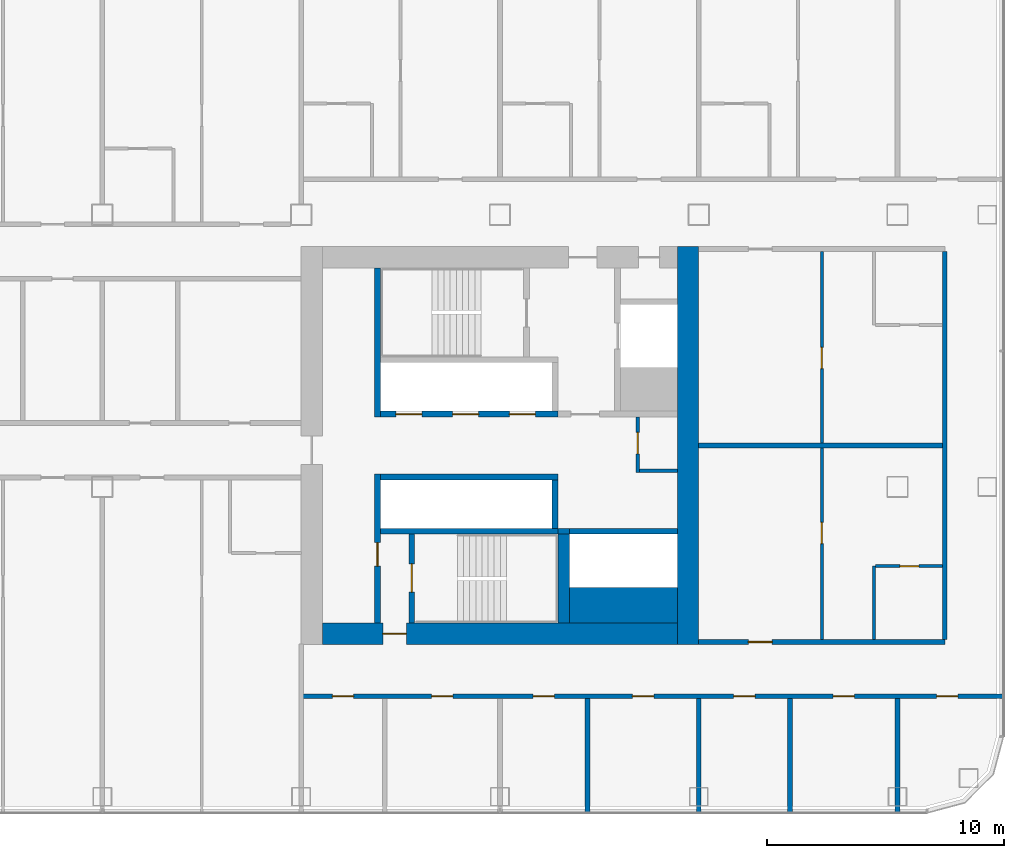
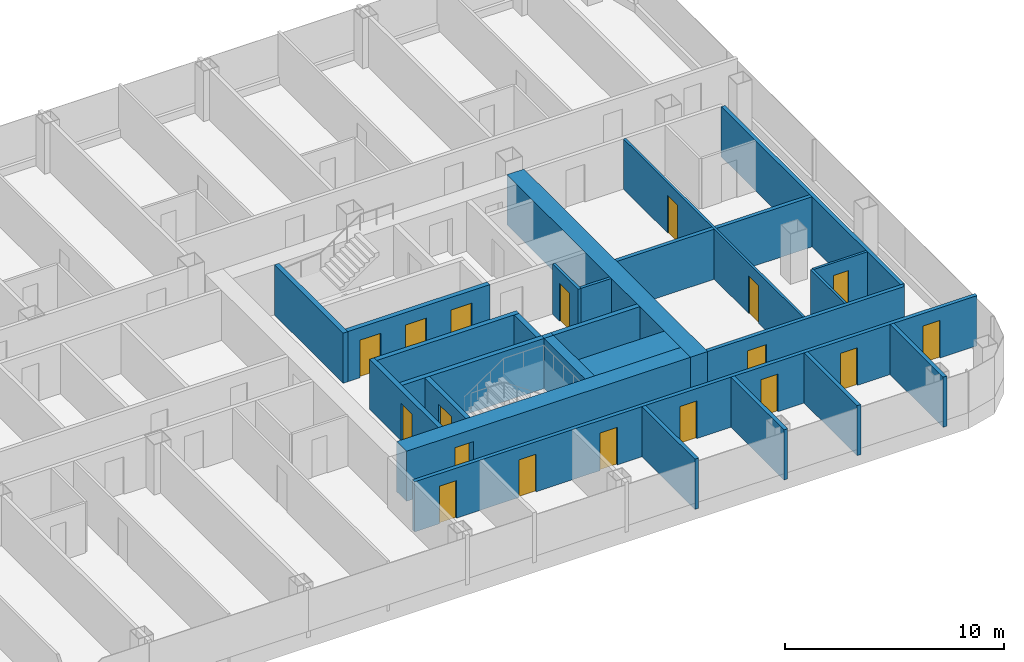
# One storey, part 19 of 29: 26 walls, 18 doors, 18 openings.
"""IFC4 building model written with IfcOpenShell, lengths in metres."""

from ifc_helpers import new_model, si_unit, direction, frame, frame_2d, origin, place, context, subcontext, project, spatial, rectangle, extrude, material, layer, layer_set, type_object, element, fill, save


model = new_model("IFC4")

# Units and contexts
model_context = context("Model", 3, precision=1e-05, world=origin(), true_north=direction((0.0, 1.0)))
body_context = subcontext(model_context, "Body", "Model", "MODEL_VIEW")
ifc_project = project(units=[si_unit("LENGTHUNIT", "METRE"), si_unit("AREAUNIT", "SQUARE_METRE"), si_unit("VOLUMEUNIT", "CUBIC_METRE"), si_unit("PLANEANGLEUNIT", "RADIAN"), si_unit("MASSUNIT", "GRAM", prefix="KILO")], contexts=[model_context])

# Site, building, storey
site_placement = place(None, origin())
site = spatial("IfcSite", under=ifc_project, at=site_placement, CompositionType="ELEMENT")
building_placement = place(site_placement, origin())
building = spatial("IfcBuilding", under=site, at=building_placement, Name="Hakoniwa Tower and Hamabe Station Hall", CompositionType="ELEMENT")
storey_placement = place(building_placement, frame((0.0, 0.0, 88.199951171875)))
storey = spatial("IfcBuildingStorey", under=building, at=storey_placement, Name="L24", CompositionType="ELEMENT", Elevation=88.199951171875)

# Wall, opening, door
ifc_material_1 = material(Name="Gypsum board partition", Category="gypsum")
ifc_layer_1 = layer(ifc_material_1, 0.125)
ifc_layer_set_1 = layer_set([ifc_layer_1], Name="Bathroom Partition 125")
wall_type_1 = type_object("IfcWallType", Name="Bathroom Partition 125", PredefinedType="PARTITIONING", material=ifc_layer_set_1)
wall_1_placement = place(storey_placement, frame((41.0625, -5.10009765625, 0.0), z_axis=(0.0, 0.0, 1.0), x_axis=(1.0, 0.0, 0.0)))
wall_1 = element("IfcWall", 1, at=wall_1_placement, inside=storey, type_object=wall_type_1, Name="GW-L24-005", PredefinedType="PARTITIONING", context=body_context, shape_type="SweptSolid", body=[
    extrude(rectangle(XDim=2.83740234375, YDim=0.125, at=frame_2d((1.418701171875, 0.0))), origin(), (0.0, 0.0, 1.0), 2.800048828125),
])
opening_1_placement = place(wall_1_placement, frame((1.03759765625, 0.0, 0.0)))
opening_1 = element("IfcOpeningElement", 2, at=opening_1_placement, cuts=wall_1, Name="Opening GD-G2E0-17", PredefinedType="OPENING", context=body_context, shape_type="SweptSolid", body=[
    extrude(rectangle(XDim=0.800048828125, YDim=2.10009765625, at=frame_2d((0.39990234375, 1.050048828125))), frame((0.0, 0.072509765625, 0.0), z_axis=(0.0, -1.0, 0.0), x_axis=(1.0, 0.0, 0.0)), (0.0, 0.0, 1.0), 0.14501953125),
])
ifc_material_2 = material(Name="Timber door leaf", Category="wood")
door_type_1 = type_object("IfcDoorType", Name="Bathroom Door 800", OperationType="SINGLE_SWING_LEFT", PredefinedType="DOOR", material=ifc_material_2)
door_1_placement = place(opening_1_placement, origin())
door_1 = element("IfcDoor", 3, at=door_1_placement, inside=storey, type_object=door_type_1, Name="Door GD-G2E0-17", OperationType="SINGLE_SWING_RIGHT", OverallHeight=2.10009765625, OverallWidth=0.800048828125, PredefinedType="DOOR", context=body_context, shape_type="SweptSolid", body=[
    extrude(rectangle(XDim=0.800048828125, YDim=2.10009765625, at=frame_2d((0.39990234375, 1.050048828125))), frame((0.0, 0.02490234375, 0.0), z_axis=(0.0, -1.0, 0.0), x_axis=(1.0, 0.0, 0.0)), (0.0, 0.0, 1.0), 0.050048828125),
])
fill(opening_1, door_1)

# Wall
wall_2_placement = place(storey_placement, frame((41.0, -8.199951171875, 0.0), z_axis=(0.0, 0.0, 1.0), x_axis=(0.0, 1.0, 0.0)))
element("IfcWall", 4, at=wall_2_placement, inside=storey, type_object=wall_type_1, Name="GW-L24-088", PredefinedType="PARTITIONING", context=body_context, shape_type="SweptSolid", body=[
    extrude(rectangle(XDim=3.099853515625, YDim=0.125, at=frame_2d((1.5498046875, 0.0))), origin(), (0.0, 0.0, 1.0), 2.800048828125),
])

# Wall, opening, door
ifc_material_3 = material(Name="Gypsum board partition")
ifc_layer_2 = layer(ifc_material_3, 0.14990234375)
ifc_layer_set_2 = layer_set([ifc_layer_2], Name="CORE PARTITION 150 EI 60")
wall_type_2 = type_object("IfcWallType", Name="CORE PARTITION 150 EI 60", PredefinedType="PARTITIONING", material=ifc_layer_set_2)
wall_3_placement = place(storey_placement, frame((31.02490234375, -1.14990234375, 0.0), z_axis=(0.0, 0.0, 1.0), x_axis=(0.0, 1.0, 0.0)))
wall_3 = element("IfcWall", 5, at=wall_3_placement, inside=storey, type_object=wall_type_2, Name="Core partition PW0 east", PredefinedType="PARTITIONING", context=body_context, shape_type="SweptSolid", body=[
    extrude(rectangle(XDim=2.349853515625, YDim=0.14990234375, at=frame_2d((1.1748046875, 0.0))), origin(), (0.0, 0.0, 1.0), 2.800048828125),
])
opening_2_placement = place(wall_3_placement, frame((0.800048828125, 0.0, 0.0)))
opening_2 = element("IfcOpeningElement", 6, at=opening_2_placement, cuts=wall_3, Name="Opening CD-E-RM1-9", PredefinedType="OPENING", context=body_context, shape_type="SweptSolid", body=[
    extrude(rectangle(XDim=0.89990234375, YDim=2.10009765625, at=frame_2d((0.449951171875, 1.050048828125))), frame((0.0, 0.0849609375, 0.0), z_axis=(0.0, -1.0, 0.0), x_axis=(1.0, 0.0, 0.0)), (0.0, 0.0, 1.0), 0.169921875),
])
ifc_material_4 = material(Name="Steel fire door", Category="steel")
door_type_2 = type_object("IfcDoorType", Name="CORE DOOR 900 FD30", OperationType="NOTDEFINED", PredefinedType="DOOR", material=ifc_material_4)
door_2_placement = place(opening_2_placement, origin())
door_2 = element("IfcDoor", 7, at=door_2_placement, inside=storey, type_object=door_type_2, Name="Store room door", OperationType="SINGLE_SWING_RIGHT", OverallHeight=2.10009765625, OverallWidth=0.89990234375, PredefinedType="DOOR", context=body_context, shape_type="SweptSolid", body=[
    extrude(rectangle(XDim=0.89990234375, YDim=2.10009765625, at=frame_2d((0.449951171875, 1.050048828125))), frame((0.0, 0.02490234375, 0.0), z_axis=(0.0, -1.0, 0.0), x_axis=(1.0, 0.0, 0.0)), (0.0, 0.0, 1.0), 0.050048828125),
])
fill(opening_2, door_2)

# Walls
wall_4_placement = place(storey_placement, frame((31.10009765625, -1.074951171875, 0.0), z_axis=(0.0, 0.0, 1.0), x_axis=(1.0, 0.0, 0.0)))
element("IfcWall", 8, at=wall_4_placement, inside=storey, type_object=wall_type_2, Name="Core partition PS east", PredefinedType="PARTITIONING", context=body_context, shape_type="SweptSolid", body=[
    extrude(rectangle(XDim=1.599853515625, YDim=0.14990234375, at=frame_2d((0.7998046875, 0.0))), origin(), (0.0, 0.0, 1.0), 2.800048828125),
])
ifc_material_5 = material(Name="Concrete C72", Category="concrete")
ifc_layer_3 = layer(ifc_material_5, 0.89990234375)
ifc_layer_set_3 = layer_set([ifc_layer_3], Name="CORE WALL 900 C72")
wall_type_3 = type_object("IfcWallType", Name="CORE WALL 900 C72", PredefinedType="SHEAR", material=ifc_layer_set_3)
wall_5_placement = place(storey_placement, frame((33.14990234375, -8.39990234375, 0.0), z_axis=(0.0, 0.0, 1.0), x_axis=(0.0, 1.0, 0.0)))
element("IfcWall", 9, at=wall_5_placement, inside=storey, type_object=wall_type_3, Name="Core wall OUTER east", PredefinedType="SHEAR", context=body_context, shape_type="SweptSolid", body=[
    extrude(rectangle(XDim=16.7998046875, YDim=0.89990234375, at=frame_2d((8.39990234375, 0.0))), origin(), (0.0, 0.0, 1.0), 2.800048828125),
])

# Wall, opening, door
wall_6_placement = place(storey_placement, frame((17.699951171875, -7.949951171875, 0.0), z_axis=(0.0, 0.0, 1.0), x_axis=(1.0, 0.0, 0.0)))
wall_6 = element("IfcWall", 10, at=wall_6_placement, inside=storey, type_object=wall_type_3, Name="Core wall SOUTH east", PredefinedType="SHEAR", context=body_context, shape_type="SweptSolid", body=[
    extrude(rectangle(XDim=15.0, YDim=0.89990234375, at=frame_2d((7.5, 0.0))), origin(), (0.0, 0.0, 1.0), 2.800048828125),
])
opening_3_placement = place(wall_6_placement, frame((2.550048828125, 0.0, 0.0)))
opening_3 = element("IfcOpeningElement", 11, at=opening_3_placement, cuts=wall_6, Name="Opening CD-E-FS3-10", PredefinedType="OPENING", context=body_context, shape_type="SweptSolid", body=[
    extrude(rectangle(XDim=1.0, YDim=2.10009765625, at=frame_2d((0.5, 1.050048828125))), frame((0.0, 0.4599609375, 0.0), z_axis=(0.0, -1.0, 0.0), x_axis=(1.0, 0.0, 0.0)), (0.0, 0.0, 1.0), 0.919921875),
])
ifc_material_6 = material(Name="Steel fire door", Category="steel")
door_type_3 = type_object("IfcDoorType", Name="CORE DOOR 1000 FD60", OperationType="NOTDEFINED", PredefinedType="DOOR", material=ifc_material_6)
door_3_placement = place(opening_3_placement, origin())
door_3 = element("IfcDoor", 12, at=door_3_placement, inside=storey, type_object=door_type_3, Name="Stair vestibule door", OperationType="SINGLE_SWING_RIGHT", OverallHeight=2.10009765625, OverallWidth=1.0, PredefinedType="DOOR", context=body_context, shape_type="SweptSolid", body=[
    extrude(rectangle(XDim=1.0, YDim=2.10009765625, at=frame_2d((0.5, 1.050048828125))), frame((0.0, 0.02490234375, 0.0), z_axis=(0.0, -1.0, 0.0), x_axis=(1.0, 0.0, 0.0)), (0.0, 0.0, 1.0), 0.050048828125),
])
fill(opening_3, door_3)

# Walls
ifc_material_7 = material(Name="Concrete C72", Category="concrete")
ifc_layer_4 = layer(ifc_material_7, 1.5)
ifc_layer_set_4 = layer_set([ifc_layer_4], Name="CORE WEB WALL 1500 C72")
wall_type_4 = type_object("IfcWallType", Name="CORE WEB WALL 1500 C72", PredefinedType="SHEAR", material=ifc_layer_set_4)
wall_7_placement = place(storey_placement, frame((28.14990234375, -6.75, 0.0), z_axis=(0.0, 0.0, 1.0), x_axis=(1.0, 0.0, 0.0)))
element("IfcWall", 13, at=wall_7_placement, inside=storey, type_object=wall_type_4, Name="Core wall SER east", PredefinedType="SHEAR", context=body_context, shape_type="SweptSolid", body=[
    extrude(rectangle(XDim=4.550048828125, YDim=1.5, at=frame_2d((2.27490234375, 0.0))), origin(), (0.0, 0.0, 1.0), 2.800048828125),
])
ifc_material_8 = material(Name="Concrete C72", Category="concrete")
ifc_layer_5 = layer(ifc_material_8, 0.25)
ifc_layer_set_5 = layer_set([ifc_layer_5], Name="CORE WEB WALL 250 C72")
wall_type_5 = type_object("IfcWallType", Name="CORE WEB WALL 250 C72", PredefinedType="SHEAR", material=ifc_layer_set_5)
wall_8_placement = place(storey_placement, frame((20.02490234375, 1.199951171875, 0.0), z_axis=(0.0, 0.0, 1.0), x_axis=(0.0, 1.0, 0.0)))
element("IfcWall", 14, at=wall_8_placement, inside=storey, type_object=wall_type_5, Name="Core wall W1N east", PredefinedType="SHEAR", context=body_context, shape_type="SweptSolid", body=[
    extrude(rectangle(XDim=6.300048828125, YDim=0.25, at=frame_2d((3.14990234375, 0.0))), origin(), (0.0, 0.0, 1.0), 2.800048828125),
])

# Wall, opening, door
wall_9_placement = place(storey_placement, frame((20.02490234375, -7.5, 0.0), z_axis=(0.0, 0.0, 1.0), x_axis=(0.0, 1.0, 0.0)))
wall_9 = element("IfcWall", 15, at=wall_9_placement, inside=storey, type_object=wall_type_5, Name="Core wall W1S east", PredefinedType="SHEAR", context=body_context, shape_type="SweptSolid", body=[
    extrude(rectangle(XDim=6.300048828125, YDim=0.25, at=frame_2d((3.14990234375, 0.0))), origin(), (0.0, 0.0, 1.0), 2.800048828125),
])
opening_4_placement = place(wall_9_placement, frame((2.39990234375, 0.0, 0.0)))
opening_4 = element("IfcOpeningElement", 16, at=opening_4_placement, cuts=wall_9, Name="Opening CD-E-VS-10", PredefinedType="OPENING", context=body_context, shape_type="SweptSolid", body=[
    extrude(rectangle(XDim=1.0, YDim=2.10009765625, at=frame_2d((0.5, 1.050048828125))), frame((0.0, 0.135009765625, 0.0), z_axis=(0.0, -1.0, 0.0), x_axis=(1.0, 0.0, 0.0)), (0.0, 0.0, 1.0), 0.27001953125),
])
door_4_placement = place(opening_4_placement, origin())
door_4 = element("IfcDoor", 17, at=door_4_placement, inside=storey, type_object=door_type_3, Name="Stair vestibule door", OperationType="SINGLE_SWING_RIGHT", OverallHeight=2.10009765625, OverallWidth=1.0, PredefinedType="DOOR", context=body_context, shape_type="SweptSolid", body=[
    extrude(rectangle(XDim=1.0, YDim=2.10009765625, at=frame_2d((0.5, 1.050048828125))), frame((0.0, 0.02490234375, 0.0), z_axis=(0.0, -1.0, 0.0), x_axis=(1.0, 0.0, 0.0)), (0.0, 0.0, 1.0), 0.050048828125),
])
fill(opening_4, door_4)

# Wall, openings, doors
wall_10_placement = place(storey_placement, frame((20.14990234375, 1.324951171875, 0.0), z_axis=(0.0, 0.0, 1.0), x_axis=(1.0, 0.0, 0.0)))
wall_10 = element("IfcWall", 18, at=wall_10_placement, inside=storey, type_object=wall_type_5, Name="Core wall NF east", PredefinedType="SHEAR", context=body_context, shape_type="SweptSolid", body=[
    extrude(rectangle(XDim=7.5, YDim=0.25, at=frame_2d((3.75, 0.0))), origin(), (0.0, 0.0, 1.0), 2.800048828125),
])
opening_5_placement = place(wall_10_placement, frame((0.64990234375, 0.0, 0.0)))
opening_5 = element("IfcOpeningElement", 19, at=opening_5_placement, cuts=wall_10, Name="Opening LD-LR4", PredefinedType="OPENING", context=body_context, shape_type="SweptSolid", body=[
    extrude(rectangle(XDim=1.10009765625, YDim=2.10009765625, at=frame_2d((0.550048828125, 1.050048828125))), frame((0.0, 0.135009765625, 0.0), z_axis=(0.0, -1.0, 0.0), x_axis=(1.0, 0.0, 0.0)), (0.0, 0.0, 1.0), 0.27001953125),
])
opening_6_placement = place(wall_10_placement, frame((3.050048828125, 0.0, 0.0)))
opening_6 = element("IfcOpeningElement", 20, at=opening_6_placement, cuts=wall_10, Name="Opening LD-LR5", PredefinedType="OPENING", context=body_context, shape_type="SweptSolid", body=[
    extrude(rectangle(XDim=1.10009765625, YDim=2.10009765625, at=frame_2d((0.550048828125, 1.050048828125))), frame((0.0, 0.135009765625, 0.0), z_axis=(0.0, -1.0, 0.0), x_axis=(1.0, 0.0, 0.0)), (0.0, 0.0, 1.0), 0.27001953125),
])
opening_7_placement = place(wall_10_placement, frame((5.449951171875, 0.0, 0.0)))
opening_7 = element("IfcOpeningElement", 21, at=opening_7_placement, cuts=wall_10, Name="Opening LD-LR6", PredefinedType="OPENING", context=body_context, shape_type="SweptSolid", body=[
    extrude(rectangle(XDim=1.10009765625, YDim=2.10009765625, at=frame_2d((0.550048828125, 1.050048828125))), frame((0.0, 0.135009765625, 0.0), z_axis=(0.0, -1.0, 0.0), x_axis=(1.0, 0.0, 0.0)), (0.0, 0.0, 1.0), 0.27001953125),
])
ifc_material_9 = material(Name="Stainless steel SUS304", Category="steel")
door_type_4 = type_object("IfcDoorType", Name="LIFT LANDING DOOR 1100 FD60", OperationType="DOUBLE_DOOR_SLIDING", PredefinedType="DOOR", material=ifc_material_9)
door_5_placement = place(opening_5_placement, origin())
door_5 = element("IfcDoor", 22, at=door_5_placement, inside=storey, type_object=door_type_4, Name="Lift landing door LR4 L24", OperationType="DOUBLE_DOOR_SLIDING", OverallHeight=2.10009765625, OverallWidth=1.10009765625, PredefinedType="DOOR", context=body_context, shape_type="SweptSolid", body=[
    extrude(rectangle(XDim=1.10009765625, YDim=2.10009765625, at=frame_2d((0.550048828125, 1.050048828125))), frame((0.0, 0.02490234375, 0.0), z_axis=(0.0, -1.0, 0.0), x_axis=(1.0, 0.0, 0.0)), (0.0, 0.0, 1.0), 0.050048828125),
])
fill(opening_5, door_5)
door_6_placement = place(opening_6_placement, origin())
door_6 = element("IfcDoor", 23, at=door_6_placement, inside=storey, type_object=door_type_4, Name="Lift landing door LR5 L24", OperationType="DOUBLE_DOOR_SLIDING", OverallHeight=2.10009765625, OverallWidth=1.10009765625, PredefinedType="DOOR", context=body_context, shape_type="SweptSolid", body=[
    extrude(rectangle(XDim=1.10009765625, YDim=2.10009765625, at=frame_2d((0.550048828125, 1.050048828125))), frame((0.0, 0.02490234375, 0.0), z_axis=(0.0, -1.0, 0.0), x_axis=(1.0, 0.0, 0.0)), (0.0, 0.0, 1.0), 0.050048828125),
])
fill(opening_6, door_6)
door_7_placement = place(opening_7_placement, origin())
door_7 = element("IfcDoor", 24, at=door_7_placement, inside=storey, type_object=door_type_4, Name="Lift landing door LR6 L24", OperationType="DOUBLE_DOOR_SLIDING", OverallHeight=2.10009765625, OverallWidth=1.10009765625, PredefinedType="DOOR", context=body_context, shape_type="SweptSolid", body=[
    extrude(rectangle(XDim=1.10009765625, YDim=2.10009765625, at=frame_2d((0.550048828125, 1.050048828125))), frame((0.0, 0.02490234375, 0.0), z_axis=(0.0, -1.0, 0.0), x_axis=(1.0, 0.0, 0.0)), (0.0, 0.0, 1.0), 0.050048828125),
])
fill(opening_7, door_7)

# Walls
wall_11_placement = place(storey_placement, frame((20.14990234375, -1.324951171875, 0.0), z_axis=(0.0, 0.0, 1.0), x_axis=(1.0, 0.0, 0.0)))
element("IfcWall", 25, at=wall_11_placement, inside=storey, type_object=wall_type_5, Name="Core wall SF east", PredefinedType="SHEAR", context=body_context, shape_type="SweptSolid", body=[
    extrude(rectangle(XDim=7.5, YDim=0.25, at=frame_2d((3.75, 0.0))), origin(), (0.0, 0.0, 1.0), 2.800048828125),
])
wall_12_placement = place(storey_placement, frame((27.52490234375, -3.5, 0.0), z_axis=(0.0, 0.0, 1.0), x_axis=(0.0, 1.0, 0.0)))
element("IfcWall", 26, at=wall_12_placement, inside=storey, type_object=wall_type_5, Name="Core wall SE east", PredefinedType="SHEAR", context=body_context, shape_type="SweptSolid", body=[
    extrude(rectangle(XDim=2.050048828125, YDim=0.25, at=frame_2d((1.02490234375, 0.0))), origin(), (0.0, 0.0, 1.0), 2.800048828125),
])
wall_13_placement = place(storey_placement, frame((20.14990234375, -3.625, 0.0), z_axis=(0.0, 0.0, 1.0), x_axis=(1.0, 0.0, 0.0)))
element("IfcWall", 27, at=wall_13_placement, inside=storey, type_object=wall_type_5, Name="Core wall SR east", PredefinedType="SHEAR", context=body_context, shape_type="SweptSolid", body=[
    extrude(rectangle(XDim=7.5, YDim=0.25, at=frame_2d((3.75, 0.0))), origin(), (0.0, 0.0, 1.0), 2.800048828125),
])

# Wall, opening, door
wall_14_placement = place(storey_placement, frame((21.47509765625, -7.5, 0.0), z_axis=(0.0, 0.0, 1.0), x_axis=(0.0, 1.0, 0.0)))
wall_14 = element("IfcWall", 28, at=wall_14_placement, inside=storey, type_object=wall_type_5, Name="Core wall VE east", PredefinedType="SHEAR", context=body_context, shape_type="SweptSolid", body=[
    extrude(rectangle(XDim=3.75, YDim=0.25, at=frame_2d((1.875, 0.0))), origin(), (0.0, 0.0, 1.0), 2.800048828125),
])
opening_8_placement = place(wall_14_placement, frame((1.300048828125, 0.0, 0.0)))
opening_8 = element("IfcOpeningElement", 29, at=opening_8_placement, cuts=wall_14, Name="Opening CD-E-SS-12", PredefinedType="OPENING", context=body_context, shape_type="SweptSolid", body=[
    extrude(rectangle(XDim=1.199951171875, YDim=2.10009765625, at=frame_2d((0.60009765625, 1.050048828125))), frame((0.0, 0.135009765625, 0.0), z_axis=(0.0, -1.0, 0.0), x_axis=(1.0, 0.0, 0.0)), (0.0, 0.0, 1.0), 0.27001953125),
])
ifc_material_10 = material(Name="Steel fire door", Category="steel")
door_type_5 = type_object("IfcDoorType", Name="CORE DOOR 1200 FD60", OperationType="DOUBLE_DOOR_SINGLE_SWING", PredefinedType="DOOR", material=ifc_material_10)
door_8_placement = place(opening_8_placement, origin())
door_8 = element("IfcDoor", 30, at=door_8_placement, inside=storey, type_object=door_type_5, Name="Escape stair door", OperationType="DOUBLE_DOOR_SINGLE_SWING", OverallHeight=2.10009765625, OverallWidth=1.199951171875, PredefinedType="DOOR", context=body_context, shape_type="SweptSolid", body=[
    extrude(rectangle(XDim=1.199951171875, YDim=2.10009765625, at=frame_2d((0.60009765625, 1.050048828125))), frame((0.0, 0.02490234375, 0.0), z_axis=(0.0, -1.0, 0.0), x_axis=(1.0, 0.0, 0.0)), (0.0, 0.0, 1.0), 0.050048828125),
])
fill(opening_8, door_8)

# Walls
wall_15_placement = place(storey_placement, frame((28.14990234375, -3.625, 0.0), z_axis=(0.0, 0.0, 1.0), x_axis=(1.0, 0.0, 0.0)))
element("IfcWall", 31, at=wall_15_placement, inside=storey, type_object=wall_type_5, Name="Core wall SEF east", PredefinedType="SHEAR", context=body_context, shape_type="SweptSolid", body=[
    extrude(rectangle(XDim=4.550048828125, YDim=0.25, at=frame_2d((2.27490234375, 0.0))), origin(), (0.0, 0.0, 1.0), 2.800048828125),
])
wall_16_placement = place(storey_placement, frame((27.64990234375, -3.625, 0.0), z_axis=(0.0, 0.0, 1.0), x_axis=(1.0, 0.0, 0.0)))
element("IfcWall", 32, at=wall_16_placement, inside=storey, type_object=wall_type_5, Name="Core wall SRK east", PredefinedType="SHEAR", context=body_context, shape_type="SweptSolid", body=[
    extrude(rectangle(XDim=0.5, YDim=0.25, at=frame_2d((0.25, 0.0))), origin(), (0.0, 0.0, 1.0), 2.800048828125),
])
ifc_material_11 = material(Name="Concrete C72", Category="concrete")
ifc_layer_6 = layer(ifc_material_11, 0.5)
ifc_layer_set_6 = layer_set([ifc_layer_6], Name="CORE WEB WALL 500 C72")
wall_type_6 = type_object("IfcWallType", Name="CORE WEB WALL 500 C72", PredefinedType="SHEAR", material=ifc_layer_set_6)
wall_17_placement = place(storey_placement, frame((27.89990234375, -7.5, 0.0), z_axis=(0.0, 0.0, 1.0), x_axis=(0.0, 1.0, 0.0)))
element("IfcWall", 33, at=wall_17_placement, inside=storey, type_object=wall_type_6, Name="Core wall SSE east", PredefinedType="SHEAR", context=body_context, shape_type="SweptSolid", body=[
    extrude(rectangle(XDim=3.75, YDim=0.5, at=frame_2d((1.875, 0.0))), origin(), (0.0, 0.0, 1.0), 2.800048828125),
])

# Wall, openings, doors
ifc_material_12 = material(Name="Fire-rated gypsum board partition", Category="gypsum")
ifc_layer_7 = layer(ifc_material_12, 0.199951171875)
ifc_layer_set_7 = layer_set([ifc_layer_7], Name="Corridor Wall 200")
wall_type_7 = type_object("IfcWallType", Name="Corridor Wall 200", PredefinedType="PARTITIONING", material=ifc_layer_set_7)
wall_18_placement = place(storey_placement, frame((16.800048828125, -10.60009765625, 0.0), z_axis=(0.0, 0.0, 1.0), x_axis=(1.0, 0.0, 0.0)))
wall_18 = element("IfcWall", 34, at=wall_18_placement, inside=storey, type_object=wall_type_7, Name="GW-L24-002", PredefinedType="PARTITIONING", context=body_context, shape_type="SweptSolid", body=[
    extrude(rectangle(XDim=29.699951171875, YDim=0.199951171875, at=frame_2d((14.85009765625, 0.0))), origin(), (0.0, 0.0, 1.0), 2.800048828125),
])
opening_9_placement = place(wall_18_placement, frame((1.31494140625, 0.0, 0.0)))
opening_9 = element("IfcOpeningElement", 35, at=opening_9_placement, cuts=wall_18, Name="Opening GD-G2E0-08", PredefinedType="OPENING", context=body_context, shape_type="SweptSolid", body=[
    extrude(rectangle(XDim=0.89990234375, YDim=2.10009765625, at=frame_2d((0.449951171875, 1.050048828125))), frame((0.0, 0.10986328125, 0.0), z_axis=(0.0, -1.0, 0.0), x_axis=(1.0, 0.0, 0.0)), (0.0, 0.0, 1.0), 0.219970703125),
])
opening_10_placement = place(wall_18_placement, frame((5.514892578125, 0.0, 0.0)))
opening_10 = element("IfcOpeningElement", 36, at=opening_10_placement, cuts=wall_18, Name="Opening GD-G2E0-09", PredefinedType="OPENING", context=body_context, shape_type="SweptSolid", body=[
    extrude(rectangle(XDim=0.89990234375, YDim=2.10009765625, at=frame_2d((0.449951171875, 1.050048828125))), frame((0.0, 0.10986328125, 0.0), z_axis=(0.0, -1.0, 0.0), x_axis=(1.0, 0.0, 0.0)), (0.0, 0.0, 1.0), 0.219970703125),
])
opening_11_placement = place(wall_18_placement, frame((9.800048828125, 0.0, 0.0)))
opening_11 = element("IfcOpeningElement", 37, at=opening_11_placement, cuts=wall_18, Name="Opening GD-G2E0-10", PredefinedType="OPENING", context=body_context, shape_type="SweptSolid", body=[
    extrude(rectangle(XDim=0.89990234375, YDim=2.10009765625, at=frame_2d((0.449951171875, 1.050048828125))), frame((0.0, 0.10986328125, 0.0), z_axis=(0.0, -1.0, 0.0), x_axis=(1.0, 0.0, 0.0)), (0.0, 0.0, 1.0), 0.219970703125),
])
opening_12_placement = place(wall_18_placement, frame((14.0, 0.0, 0.0)))
opening_12 = element("IfcOpeningElement", 38, at=opening_12_placement, cuts=wall_18, Name="Opening GD-G2E0-11", PredefinedType="OPENING", context=body_context, shape_type="SweptSolid", body=[
    extrude(rectangle(XDim=0.89990234375, YDim=2.10009765625, at=frame_2d((0.449951171875, 1.050048828125))), frame((0.0, 0.10986328125, 0.0), z_axis=(0.0, -1.0, 0.0), x_axis=(1.0, 0.0, 0.0)), (0.0, 0.0, 1.0), 0.219970703125),
])
opening_13_placement = place(wall_18_placement, frame((18.280029296875, 0.0, 0.0)))
opening_13 = element("IfcOpeningElement", 39, at=opening_13_placement, cuts=wall_18, Name="Opening GD-G2E0-12", PredefinedType="OPENING", context=body_context, shape_type="SweptSolid", body=[
    extrude(rectangle(XDim=0.89990234375, YDim=2.10009765625, at=frame_2d((0.449951171875, 1.050048828125))), frame((0.0, 0.10986328125, 0.0), z_axis=(0.0, -1.0, 0.0), x_axis=(1.0, 0.0, 0.0)), (0.0, 0.0, 1.0), 0.219970703125),
])
opening_14_placement = place(wall_18_placement, frame((22.47998046875, 0.0, 0.0)))
opening_14 = element("IfcOpeningElement", 40, at=opening_14_placement, cuts=wall_18, Name="Opening GD-G2E0-13", PredefinedType="OPENING", context=body_context, shape_type="SweptSolid", body=[
    extrude(rectangle(XDim=0.89990234375, YDim=2.10009765625, at=frame_2d((0.449951171875, 1.050048828125))), frame((0.0, 0.10986328125, 0.0), z_axis=(0.0, -1.0, 0.0), x_axis=(1.0, 0.0, 0.0)), (0.0, 0.0, 1.0), 0.219970703125),
])
opening_15_placement = place(wall_18_placement, frame((26.85009765625, 0.0, 0.0)))
opening_15 = element("IfcOpeningElement", 41, at=opening_15_placement, cuts=wall_18, Name="Opening GD-G2E0-14", PredefinedType="OPENING", context=body_context, shape_type="SweptSolid", body=[
    extrude(rectangle(XDim=0.89990234375, YDim=2.10009765625, at=frame_2d((0.449951171875, 1.050048828125))), frame((0.0, 0.10986328125, 0.0), z_axis=(0.0, -1.0, 0.0), x_axis=(1.0, 0.0, 0.0)), (0.0, 0.0, 1.0), 0.219970703125),
])
ifc_material_13 = material(Name="Timber door leaf", Category="wood")
door_type_6 = type_object("IfcDoorType", Name="Service Door 900", OperationType="SINGLE_SWING_LEFT", PredefinedType="DOOR", material=ifc_material_13)
door_9_placement = place(opening_9_placement, origin())
door_9 = element("IfcDoor", 42, at=door_9_placement, inside=storey, type_object=door_type_6, Name="Door GD-G2E0-08", OperationType="SINGLE_SWING_RIGHT", OverallHeight=2.10009765625, OverallWidth=0.89990234375, PredefinedType="DOOR", context=body_context, shape_type="SweptSolid", body=[
    extrude(rectangle(XDim=0.89990234375, YDim=2.10009765625, at=frame_2d((0.449951171875, 1.050048828125))), frame((0.0, 0.02490234375, 0.0), z_axis=(0.0, -1.0, 0.0), x_axis=(1.0, 0.0, 0.0)), (0.0, 0.0, 1.0), 0.050048828125),
])
fill(opening_9, door_9)
door_10_placement = place(opening_10_placement, origin())
door_10 = element("IfcDoor", 43, at=door_10_placement, inside=storey, type_object=door_type_6, Name="Door GD-G2E0-09", OperationType="SINGLE_SWING_LEFT", OverallHeight=2.10009765625, OverallWidth=0.89990234375, PredefinedType="DOOR", context=body_context, shape_type="SweptSolid", body=[
    extrude(rectangle(XDim=0.89990234375, YDim=2.10009765625, at=frame_2d((0.449951171875, 1.050048828125))), frame((0.0, 0.02490234375, 0.0), z_axis=(0.0, -1.0, 0.0), x_axis=(1.0, 0.0, 0.0)), (0.0, 0.0, 1.0), 0.050048828125),
])
fill(opening_10, door_10)
door_11_placement = place(opening_11_placement, origin())
door_11 = element("IfcDoor", 44, at=door_11_placement, inside=storey, type_object=door_type_6, Name="Door GD-G2E0-10", OperationType="SINGLE_SWING_LEFT", OverallHeight=2.10009765625, OverallWidth=0.89990234375, PredefinedType="DOOR", context=body_context, shape_type="SweptSolid", body=[
    extrude(rectangle(XDim=0.89990234375, YDim=2.10009765625, at=frame_2d((0.449951171875, 1.050048828125))), frame((0.0, 0.02490234375, 0.0), z_axis=(0.0, -1.0, 0.0), x_axis=(1.0, 0.0, 0.0)), (0.0, 0.0, 1.0), 0.050048828125),
])
fill(opening_11, door_11)
door_12_placement = place(opening_12_placement, origin())
door_12 = element("IfcDoor", 45, at=door_12_placement, inside=storey, type_object=door_type_6, Name="Door GD-G2E0-11", OperationType="SINGLE_SWING_RIGHT", OverallHeight=2.10009765625, OverallWidth=0.89990234375, PredefinedType="DOOR", context=body_context, shape_type="SweptSolid", body=[
    extrude(rectangle(XDim=0.89990234375, YDim=2.10009765625, at=frame_2d((0.449951171875, 1.050048828125))), frame((0.0, 0.02490234375, 0.0), z_axis=(0.0, -1.0, 0.0), x_axis=(1.0, 0.0, 0.0)), (0.0, 0.0, 1.0), 0.050048828125),
])
fill(opening_12, door_12)
door_13_placement = place(opening_13_placement, origin())
door_13 = element("IfcDoor", 46, at=door_13_placement, inside=storey, type_object=door_type_6, Name="Door GD-G2E0-12", OperationType="SINGLE_SWING_LEFT", OverallHeight=2.10009765625, OverallWidth=0.89990234375, PredefinedType="DOOR", context=body_context, shape_type="SweptSolid", body=[
    extrude(rectangle(XDim=0.89990234375, YDim=2.10009765625, at=frame_2d((0.449951171875, 1.050048828125))), frame((0.0, 0.02490234375, 0.0), z_axis=(0.0, -1.0, 0.0), x_axis=(1.0, 0.0, 0.0)), (0.0, 0.0, 1.0), 0.050048828125),
])
fill(opening_13, door_13)
door_14_placement = place(opening_14_placement, origin())
door_14 = element("IfcDoor", 47, at=door_14_placement, inside=storey, type_object=door_type_6, Name="Door GD-G2E0-13", OperationType="SINGLE_SWING_RIGHT", OverallHeight=2.10009765625, OverallWidth=0.89990234375, PredefinedType="DOOR", context=body_context, shape_type="SweptSolid", body=[
    extrude(rectangle(XDim=0.89990234375, YDim=2.10009765625, at=frame_2d((0.449951171875, 1.050048828125))), frame((0.0, 0.02490234375, 0.0), z_axis=(0.0, -1.0, 0.0), x_axis=(1.0, 0.0, 0.0)), (0.0, 0.0, 1.0), 0.050048828125),
])
fill(opening_14, door_14)
door_15_placement = place(opening_15_placement, origin())
door_15 = element("IfcDoor", 48, at=door_15_placement, inside=storey, type_object=door_type_6, Name="Door GD-G2E0-14", OperationType="SINGLE_SWING_LEFT", OverallHeight=2.10009765625, OverallWidth=0.89990234375, PredefinedType="DOOR", context=body_context, shape_type="SweptSolid", body=[
    extrude(rectangle(XDim=0.89990234375, YDim=2.10009765625, at=frame_2d((0.449951171875, 1.050048828125))), frame((0.0, 0.02490234375, 0.0), z_axis=(0.0, -1.0, 0.0), x_axis=(1.0, 0.0, 0.0)), (0.0, 0.0, 1.0), 0.050048828125),
])
fill(opening_15, door_15)

# Wall, opening, door
wall_19_placement = place(storey_placement, frame((33.60009765625, -8.300048828125, 0.0), z_axis=(0.0, 0.0, 1.0), x_axis=(1.0, 0.0, 0.0)))
wall_19 = element("IfcWall", 49, at=wall_19_placement, inside=storey, type_object=wall_type_7, Name="GW-L24-004", PredefinedType="PARTITIONING", context=body_context, shape_type="SweptSolid", body=[
    extrude(rectangle(XDim=10.39990234375, YDim=0.199951171875, at=frame_2d((5.199951171875, 0.0))), origin(), (0.0, 0.0, 1.0), 2.800048828125),
])
opening_16_placement = place(wall_19_placement, frame((2.10009765625, 0.0, 0.0)))
opening_16 = element("IfcOpeningElement", 50, at=opening_16_placement, cuts=wall_19, Name="Opening GD-G2E0-16", PredefinedType="OPENING", context=body_context, shape_type="SweptSolid", body=[
    extrude(rectangle(XDim=1.0, YDim=2.10009765625, at=frame_2d((0.5, 1.050048828125))), frame((0.0, 0.10986328125, 0.0), z_axis=(0.0, -1.0, 0.0), x_axis=(1.0, 0.0, 0.0)), (0.0, 0.0, 1.0), 0.219970703125),
])
ifc_material_14 = material(Name="Timber door leaf", Category="wood")
door_type_7 = type_object("IfcDoorType", Name="Guest Entrance Door 1000", OperationType="SINGLE_SWING_LEFT", PredefinedType="DOOR", material=ifc_material_14)
door_16_placement = place(opening_16_placement, origin())
door_16 = element("IfcDoor", 51, at=door_16_placement, inside=storey, type_object=door_type_7, Name="Door GD-G2E0-16", OperationType="SINGLE_SWING_LEFT", OverallHeight=2.10009765625, OverallWidth=1.0, PredefinedType="DOOR", context=body_context, shape_type="SweptSolid", body=[
    extrude(rectangle(XDim=1.0, YDim=2.10009765625, at=frame_2d((0.5, 1.050048828125))), frame((0.0, 0.02490234375, 0.0), z_axis=(0.0, -1.0, 0.0), x_axis=(1.0, 0.0, 0.0)), (0.0, 0.0, 1.0), 0.050048828125),
])
fill(opening_16, door_16)

# Walls
ifc_material_15 = material(Name="Fire-rated gypsum board partition", Category="gypsum")
ifc_layer_8 = layer(ifc_material_15, 0.199951171875)
ifc_layer_set_8 = layer_set([ifc_layer_8], Name="Party Wall 200")
wall_type_8 = type_object("IfcWallType", Name="Party Wall 200", PredefinedType="PARTITIONING", material=ifc_layer_set_8)
wall_20_placement = place(storey_placement, frame((33.60009765625, 0.0, 0.0), z_axis=(0.0, 0.0, 1.0), x_axis=(1.0, 0.0, 0.0)))
element("IfcWall", 52, at=wall_20_placement, inside=storey, type_object=wall_type_8, Name="GW-L24-013", PredefinedType="PARTITIONING", context=body_context, shape_type="SweptSolid", body=[
    extrude(rectangle(XDim=10.2998046875, YDim=0.199951171875, at=frame_2d((5.14990234375, 0.0))), origin(), (0.0, 0.0, 1.0), 2.800048828125),
])
for number, where, z_axis, x_axis, name in (
    (53, (28.89990234375, -15.550048828125, 0.0), (0.0, 0.0, 1.0), (0.0, 1.0, 0.0), "GW-L24-080"),
    (54, (33.60009765625, -15.550048828125, 0.0), (0.0, 0.0, 1.0), (0.0, 1.0, 0.0), "GW-L24-082"),
    (55, (37.4599609375, -15.550048828125, 0.0), (0.0, 0.0, 1.0), (0.0, 1.0, 0.0), "GW-L24-085"),
    (56, (42.0, -15.550048828125, 0.0), (0.0, 0.0, 1.0), (0.0, 1.0, 0.0), "GW-L24-090"),
):
    element("IfcWall", number, at=place(storey_placement, frame(where, z_axis=z_axis, x_axis=x_axis)), inside=storey, type_object=wall_type_8, Name=name, PredefinedType="PARTITIONING", context=body_context, shape_type="SweptSolid", body=[
        extrude(rectangle(XDim=4.85009765625, YDim=0.199951171875, at=frame_2d((2.425048828125, 0.0))), origin(), (0.0, 0.0, 1.0), 2.800048828125),
    ])
wall_21_placement = place(storey_placement, frame((44.0, -8.199951171875, 0.0), z_axis=(0.0, 0.0, 1.0), x_axis=(0.0, 1.0, 0.0)))
element("IfcWall", 57, at=wall_21_placement, inside=storey, type_object=wall_type_8, Name="GW-L24-092", PredefinedType="PARTITIONING", context=body_context, shape_type="SweptSolid", body=[
    extrude(rectangle(XDim=16.39990234375, YDim=0.199951171875, at=frame_2d((8.199951171875, 0.0))), origin(), (0.0, 0.0, 1.0), 2.800048828125),
])

# Wall, openings, doors
ifc_material_16 = material(Name="Gypsum board partition", Category="gypsum")
ifc_layer_9 = layer(ifc_material_16, 0.125)
ifc_layer_set_9 = layer_set([ifc_layer_9], Name="Room Partition 125")
wall_type_9 = type_object("IfcWallType", Name="Room Partition 125", PredefinedType="PARTITIONING", material=ifc_layer_set_9)
wall_22_placement = place(storey_placement, frame((38.800048828125, -8.199951171875, 0.0), z_axis=(0.0, 0.0, 1.0), x_axis=(0.0, 1.0, 0.0)))
wall_22 = element("IfcWall", 58, at=wall_22_placement, inside=storey, type_object=wall_type_9, Name="GW-L24-087", PredefinedType="PARTITIONING", context=body_context, shape_type="SweptSolid", body=[
    extrude(rectangle(XDim=16.39990234375, YDim=0.125, at=frame_2d((8.199951171875, 0.0))), origin(), (0.0, 0.0, 1.0), 2.800048828125),
])
opening_17_placement = place(wall_22_placement, frame((4.050048828125, 0.0, 0.0)))
opening_17 = element("IfcOpeningElement", 59, at=opening_17_placement, cuts=wall_22, Name="Opening GD-G2E0-69", PredefinedType="OPENING", context=body_context, shape_type="SweptSolid", body=[
    extrude(rectangle(XDim=0.89990234375, YDim=2.10009765625, at=frame_2d((0.449951171875, 1.050048828125))), frame((0.0, 0.072509765625, 0.0), z_axis=(0.0, -1.0, 0.0), x_axis=(1.0, 0.0, 0.0)), (0.0, 0.0, 1.0), 0.14501953125),
])
opening_18_placement = place(wall_22_placement, frame((11.449951171875, 0.0, 0.0)))
opening_18 = element("IfcOpeningElement", 60, at=opening_18_placement, cuts=wall_22, Name="Opening GD-G2E0-70", PredefinedType="OPENING", context=body_context, shape_type="SweptSolid", body=[
    extrude(rectangle(XDim=0.89990234375, YDim=2.10009765625, at=frame_2d((0.449951171875, 1.050048828125))), frame((0.0, 0.072509765625, 0.0), z_axis=(0.0, -1.0, 0.0), x_axis=(1.0, 0.0, 0.0)), (0.0, 0.0, 1.0), 0.14501953125),
])
ifc_material_17 = material(Name="Timber door leaf", Category="wood")
door_type_8 = type_object("IfcDoorType", Name="Suite Interior Door 900", OperationType="SINGLE_SWING_LEFT", PredefinedType="DOOR", material=ifc_material_17)
door_17_placement = place(opening_17_placement, origin())
door_17 = element("IfcDoor", 61, at=door_17_placement, inside=storey, type_object=door_type_8, Name="Door GD-G2E0-69", OperationType="SINGLE_SWING_LEFT", OverallHeight=2.10009765625, OverallWidth=0.89990234375, PredefinedType="DOOR", context=body_context, shape_type="SweptSolid", body=[
    extrude(rectangle(XDim=0.89990234375, YDim=2.10009765625, at=frame_2d((0.449951171875, 1.050048828125))), frame((0.0, 0.02490234375, 0.0), z_axis=(0.0, -1.0, 0.0), x_axis=(1.0, 0.0, 0.0)), (0.0, 0.0, 1.0), 0.050048828125),
])
fill(opening_17, door_17)
door_18_placement = place(opening_18_placement, origin())
door_18 = element("IfcDoor", 62, at=door_18_placement, inside=storey, type_object=door_type_8, Name="Door GD-G2E0-70", OperationType="SINGLE_SWING_LEFT", OverallHeight=2.10009765625, OverallWidth=0.89990234375, PredefinedType="DOOR", context=body_context, shape_type="SweptSolid", body=[
    extrude(rectangle(XDim=0.89990234375, YDim=2.10009765625, at=frame_2d((0.449951171875, 1.050048828125))), frame((0.0, 0.02490234375, 0.0), z_axis=(0.0, -1.0, 0.0), x_axis=(1.0, 0.0, 0.0)), (0.0, 0.0, 1.0), 0.050048828125),
])
fill(opening_18, door_18)

save(model, "model.ifc")
